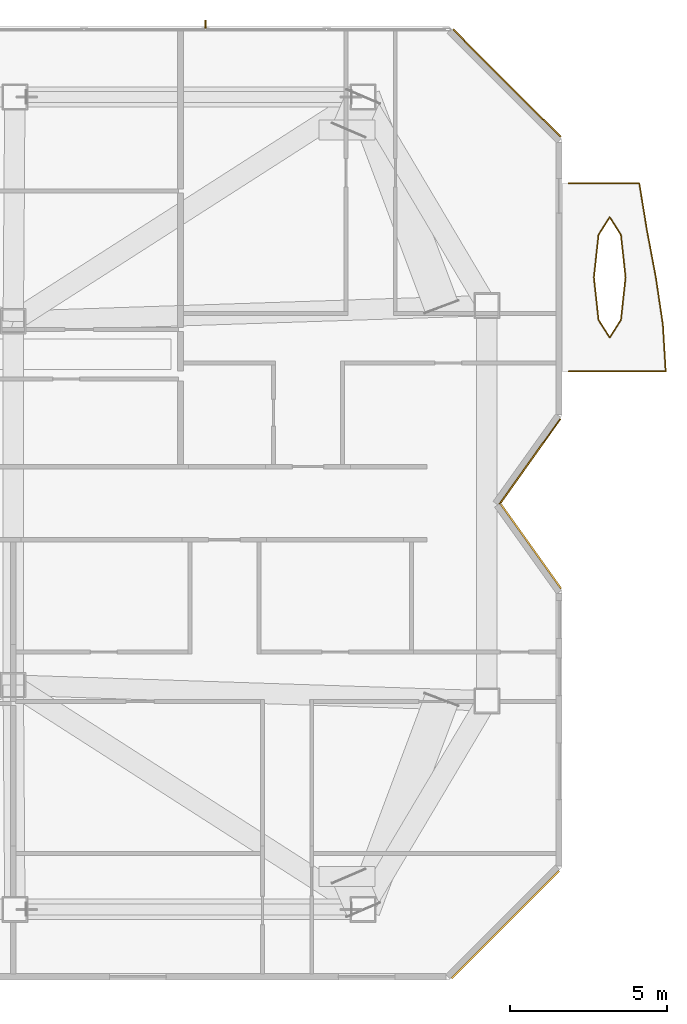
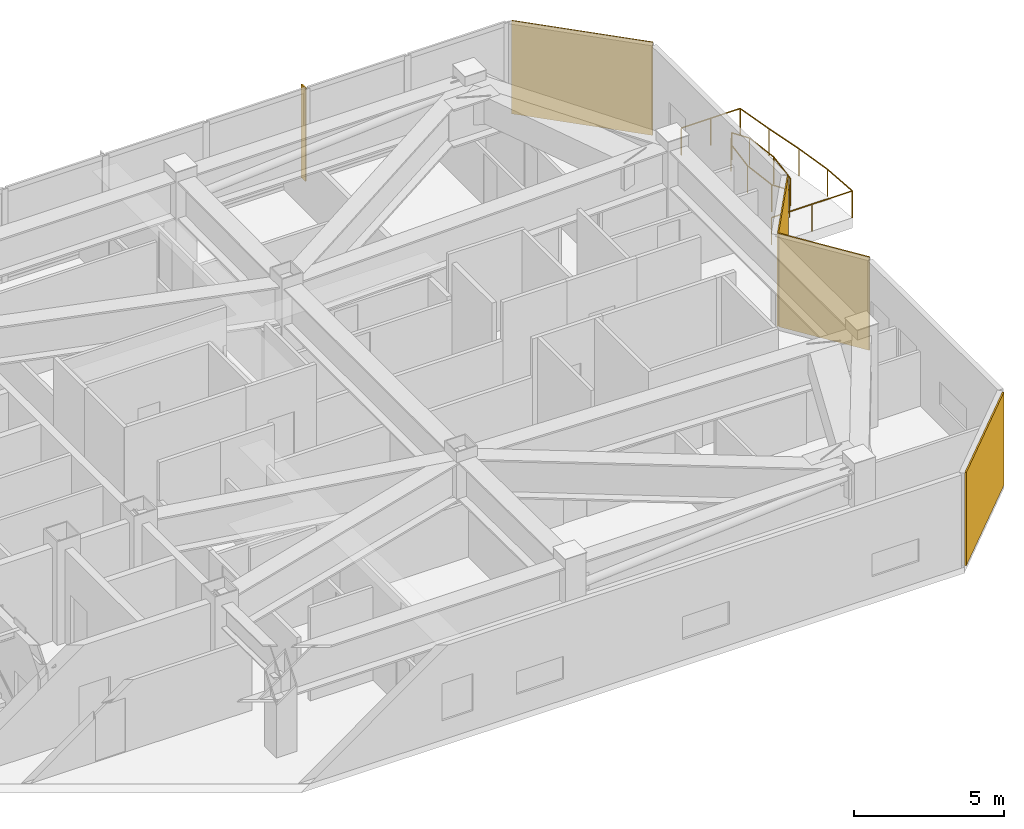
# One storey, part 16 of 16: 4 coverings, 4 railings, 1 shading device.
"""IFC4 building model written with IfcOpenShell, lengths in metres."""

from ifc_helpers import new_model, si_unit, direction, frame, origin, origin_2d, place, context, subcontext, project, spatial, rectangle, circle, extrude, material, layer, layer_set, type_object, element, save


model = new_model("IFC4")

# Units and contexts
model_context = context("Model", 3, precision=1e-05, world=origin(), true_north=direction((0.0, 1.0)))
body_context = subcontext(model_context, "Body", "Model", "MODEL_VIEW")
ifc_project = project(units=[si_unit("LENGTHUNIT", "METRE"), si_unit("AREAUNIT", "SQUARE_METRE"), si_unit("VOLUMEUNIT", "CUBIC_METRE"), si_unit("PLANEANGLEUNIT", "RADIAN"), si_unit("MASSUNIT", "GRAM", prefix="KILO")], contexts=[model_context])

# Site, building, storey
site_placement = place(None, origin())
site = spatial("IfcSite", under=ifc_project, at=site_placement, CompositionType="ELEMENT")
building_placement = place(site_placement, origin())
building = spatial("IfcBuilding", under=site, at=building_placement, Name="Khamvora Tower", CompositionType="ELEMENT")
storey_placement = place(building_placement, frame((0.0, 0.0, 273.64990234375)))
storey = spatial("IfcBuildingStorey", under=building, at=storey_placement, Name="L70", CompositionType="ELEMENT", Elevation=273.64990234375)

# Coverings
ifc_material_1 = material(Name="Pale Anodised Aluminium Rainscreen Panel", Category="aluminium")
ifc_layer_1 = layer(ifc_material_1, 0.044921875)
ifc_layer_set_1 = layer_set([ifc_layer_1], Name="Pale Anodised Aluminium Rainscreen Panel")
covering_type_1 = type_object("IfcCoveringType", Name="COV-CLD-ALU", PredefinedType="CLADDING", material=ifc_layer_set_1)
covering_1_placement = place(storey_placement, frame((66.23388671875, 41.39111328125, 0.0), z_axis=(0.0, 0.0, 1.0), x_axis=(0.707106781187, -0.707106781187, 0.0)))
element("IfcCovering", 1, at=covering_1_placement, inside=storey, type_object=covering_type_1, Name="L70 chamfer rainscreen cladding 08.1", PredefinedType="CLADDING", context=body_context, shape_type="SweptSolid", body=[
    extrude(rectangle(XDim=4.846923828125, YDim=0.044921875, at=origin_2d()), origin(), (0.0, 0.0, 1.0), 3.780029296875),
])
covering_2_placement = place(storey_placement, frame((66.970947265625, 29.327880859375, 0.0), z_axis=(0.0, 0.0, 1.0), x_axis=(-0.581238193719, -0.813733471206, 0.0)))
element("IfcCovering", 2, at=covering_2_placement, inside=storey, type_object=covering_type_1, Name="L70 chamfer rainscreen cladding 10.1", PredefinedType="CLADDING", context=body_context, shape_type="SweptSolid", body=[
    extrude(rectangle(XDim=3.33203125, YDim=0.044921875, at=origin_2d()), origin(), (0.0, 0.0, 1.0), 3.780029296875),
])
ifc_material_2 = material(Name="Anodised Bronze Aluminium Spandrel Panel", Category="aluminium")
ifc_layer_2 = layer(ifc_material_2, 0.054931640625)
ifc_layer_set_2 = layer_set([ifc_layer_2], Name="Anodised Bronze Aluminium Spandrel Panel")
covering_type_2 = type_object("IfcCoveringType", Name="COV-CLD-BRZ", PredefinedType="CLADDING", material=ifc_layer_set_2)
covering_3_placement = place(storey_placement, frame((67.009033203125, 26.617919921875, 0.0), z_axis=(0.0, 0.0, 1.0), x_axis=(0.581321761926, -0.81367377315, 0.0)))
element("IfcCovering", 3, at=covering_3_placement, inside=storey, type_object=covering_type_2, Name="L70 chamfer rainscreen cladding 11.1", PredefinedType="CLADDING", context=body_context, shape_type="SweptSolid", body=[
    extrude(rectangle(XDim=3.2958984375, YDim=0.054931640625, at=origin_2d()), origin(), (0.0, 0.0, 1.0), 3.780029296875),
])
covering_4_placement = place(storey_placement, frame((66.18994140625, 14.56494140625, 0.0), z_axis=(0.0, 0.0, 1.0), x_axis=(-0.707106781187, -0.707106781187, 0.0)))
element("IfcCovering", 4, at=covering_4_placement, inside=storey, type_object=covering_type_2, Name="L70 chamfer rainscreen cladding 13.1", PredefinedType="CLADDING", context=body_context, shape_type="SweptSolid", body=[
    extrude(rectangle(XDim=4.843994140625, YDim=0.054931640625, at=origin_2d()), origin(), (0.0, 0.0, 1.0), 3.780029296875),
])

# Railings
ifc_material_3 = material(Name="Stainless Steel 316 and Laminated Glass", Category="steel")
railing_type = type_object("IfcRailingType", Name="RAL-GAL-1120", PredefinedType="GUARDRAIL", material=ifc_material_3)
railing_1_placement = place(storey_placement, frame((68.199951171875, 32.199951171875, 0.0)))
element("IfcRailing", 5, at=railing_1_placement, inside=storey, type_object=railing_type, Name="L70 lens gallery south perimeter guardrail EL2", PredefinedType="GUARDRAIL", context=body_context, shape_type="SweptSolid", body=[
    extrude(circle(Radius=0.02392578125, at=origin_2d()), frame((0.0, 0.0, 1.09619140625), z_axis=(1.0, 0.0, 0.0), x_axis=(0.0, 1.0, 0.0)), (0.0, 0.0, 1.0), 3.10009765625),
    extrude(circle(Radius=0.02392578125, at=origin_2d()), frame((3.10009765625, 0.0, 1.09619140625), z_axis=(-0.059950569183, 0.998201347051, 0.0), x_axis=(-0.998201347051, -0.059950569183, 0.0)), (0.0, 0.0, 1.0), 1.502685546875),
    extrude(circle(Radius=0.02392578125, at=origin_2d()), frame((3.010009765625, 1.5, 1.09619140625), z_axis=(-0.147616211962, 0.98904471788, 0.0), x_axis=(-0.98904471788, -0.147616211962, 0.0)), (0.0, 0.0, 1.0), 1.5166015625),
    extrude(circle(Radius=0.02099609375, at=origin_2d()), origin(), (0.0, 0.0, 1.0), 1.072021484375),
    extrude(circle(Radius=0.02099609375, at=origin_2d()), frame((1.550048828125, 0.0, 0.0)), (0.0, 0.0, 1.0), 1.072021484375),
    extrude(circle(Radius=0.02099609375, at=origin_2d()), frame((3.10009765625, 0.0, 0.0)), (0.0, 0.0, 1.0), 1.072021484375),
    extrude(circle(Radius=0.02099609375, at=origin_2d()), frame((3.010009765625, 1.5, 0.0)), (0.0, 0.0, 1.0), 1.072021484375),
    extrude(circle(Radius=0.02099609375, at=origin_2d()), frame((2.7861328125, 3.0, 0.0)), (0.0, 0.0, 1.0), 1.072021484375),
])
railing_2_placement = place(storey_placement, frame((70.986083984375, 35.199951171875, 0.0)))
element("IfcRailing", 6, at=railing_2_placement, inside=storey, type_object=railing_type, Name="L70 lens gallery north perimeter guardrail EL2", PredefinedType="GUARDRAIL", context=body_context, shape_type="SweptSolid", body=[
    extrude(circle(Radius=0.02392578125, at=origin_2d()), frame((0.0, 0.0, 1.09619140625), z_axis=(-0.18552441405, 0.982639655108, 0.0), x_axis=(-0.982639655108, -0.18552441405, 0.0)), (0.0, 0.0, 1.0), 1.526611328125),
    extrude(circle(Radius=0.02392578125, at=origin_2d()), frame((-0.283203125, 1.5, 1.09619140625), z_axis=(-0.161115933227, 0.986935487284, 0.0), x_axis=(-0.986935487284, -0.161115933227, 0.0)), (0.0, 0.0, 1.0), 1.519775390625),
    extrude(circle(Radius=0.02392578125, at=origin_2d()), frame((-0.528076171875, 3.0, 1.09619140625), z_axis=(-1.0, 0.0, 0.0), x_axis=(0.0, -1.0, 0.0)), (0.0, 0.0, 1.0), 2.258056640625),
    extrude(circle(Radius=0.02099609375, at=origin_2d()), origin(), (0.0, 0.0, 1.0), 1.072021484375),
    extrude(circle(Radius=0.02099609375, at=origin_2d()), frame((-0.283203125, 1.5, 0.0)), (0.0, 0.0, 1.0), 1.072021484375),
    extrude(circle(Radius=0.02099609375, at=origin_2d()), frame((-0.528076171875, 3.0, 0.0)), (0.0, 0.0, 1.0), 1.072021484375),
    extrude(circle(Radius=0.02099609375, at=origin_2d()), frame((-1.6572265625, 3.0, 0.0)), (0.0, 0.0, 1.0), 1.072021484375),
    extrude(circle(Radius=0.02099609375, at=origin_2d()), frame((-2.7861328125, 3.0, 0.0)), (0.0, 0.0, 1.0), 1.072021484375),
])
railing_3_placement = place(storey_placement, frame((70.01904296875, 35.199951171875, 0.0)))
element("IfcRailing", 7, at=railing_3_placement, inside=storey, type_object=railing_type, Name="L70 lens gallery void guardrail EL2A", PredefinedType="GUARDRAIL", context=body_context, shape_type="SweptSolid", body=[
    extrude(circle(Radius=0.02392578125, at=origin_2d()), frame((0.0, 0.0, 1.09619140625), z_axis=(-0.108293385003, 0.994118978173, 0.0), x_axis=(-0.994118978173, -0.108293385003, 0.0)), (0.0, 0.0, 1.0), 1.3662109375),
    extrude(circle(Radius=0.02392578125, at=origin_2d()), frame((-0.14794921875, 1.358154296875, 1.09619140625), z_axis=(-0.535331385783, 0.844642117939, 0.0), x_axis=(-0.844642117939, -0.535331385783, 0.0)), (0.0, 0.0, 1.0), 0.665283203125),
    extrude(circle(Radius=0.02392578125, at=origin_2d()), frame((-0.504150390625, 1.920166015625, 1.09619140625), z_axis=(-0.535069542864, -0.844808016237, 0.0), x_axis=(0.844808016237, -0.535069542864, 0.0)), (0.0, 0.0, 1.0), 0.665283203125),
    extrude(circle(Radius=0.02392578125, at=origin_2d()), frame((-0.860107421875, 1.358154296875, 1.09619140625), z_axis=(-0.108293385003, -0.994118978173, 0.0), x_axis=(0.994118978173, -0.108293385003, 0.0)), (0.0, 0.0, 1.0), 1.3662109375),
    extrude(circle(Radius=0.02099609375, at=origin_2d()), origin(), (0.0, 0.0, 1.0), 1.072021484375),
    extrude(circle(Radius=0.02099609375, at=origin_2d()), frame((-0.14794921875, 1.358154296875, 0.0)), (0.0, 0.0, 1.0), 1.072021484375),
    extrude(circle(Radius=0.02099609375, at=origin_2d()), frame((-0.504150390625, 1.920166015625, 0.0)), (0.0, 0.0, 1.0), 1.072021484375),
    extrude(circle(Radius=0.02099609375, at=origin_2d()), frame((-0.860107421875, 1.358154296875, 0.0)), (0.0, 0.0, 1.0), 1.072021484375),
    extrude(circle(Radius=0.02099609375, at=origin_2d()), frame((-1.008056640625, 0.0, 0.0)), (0.0, 0.0, 1.0), 1.072021484375),
])
railing_4_placement = place(storey_placement, frame((69.010986328125, 35.199951171875, 0.0)))
element("IfcRailing", 8, at=railing_4_placement, inside=storey, type_object=railing_type, Name="L70 lens gallery void guardrail EL2B", PredefinedType="GUARDRAIL", context=body_context, shape_type="SweptSolid", body=[
    extrude(circle(Radius=0.02392578125, at=origin_2d()), frame((0.0, 0.0, 1.09619140625), z_axis=(0.10831262683, -0.994116881895, 0.0), x_axis=(0.994116881895, 0.10831262683, 0.0)), (0.0, 0.0, 1.0), 1.365966796875),
    extrude(circle(Radius=0.02392578125, at=origin_2d()), frame((0.14794921875, -1.35791015625, 1.09619140625), z_axis=(0.535069542864, -0.844808016237, 0.0), x_axis=(0.844808016237, 0.535069542864, 0.0)), (0.0, 0.0, 1.0), 0.665283203125),
    extrude(circle(Radius=0.02392578125, at=origin_2d()), frame((0.50390625, -1.919921875, 1.09619140625), z_axis=(0.535331385783, 0.844642117939, 0.0), x_axis=(-0.844642117939, 0.535331385783, 0.0)), (0.0, 0.0, 1.0), 0.665283203125),
    extrude(circle(Radius=0.02392578125, at=origin_2d()), frame((0.860107421875, -1.35791015625, 1.09619140625), z_axis=(0.10831262683, 0.994116881895, 0.0), x_axis=(-0.994116881895, 0.10831262683, 0.0)), (0.0, 0.0, 1.0), 1.365966796875),
    extrude(circle(Radius=0.02099609375, at=origin_2d()), origin(), (0.0, 0.0, 1.0), 1.072021484375),
    extrude(circle(Radius=0.02099609375, at=origin_2d()), frame((0.14794921875, -1.35791015625, 0.0)), (0.0, 0.0, 1.0), 1.072021484375),
    extrude(circle(Radius=0.02099609375, at=origin_2d()), frame((0.50390625, -1.919921875, 0.0)), (0.0, 0.0, 1.0), 1.072021484375),
    extrude(circle(Radius=0.02099609375, at=origin_2d()), frame((0.860107421875, -1.35791015625, 0.0)), (0.0, 0.0, 1.0), 1.072021484375),
    extrude(circle(Radius=0.02099609375, at=origin_2d()), frame((1.008056640625, 0.0, 0.0)), (0.0, 0.0, 1.0), 1.072021484375),
])

# Shading device
ifc_material_4 = material(Name="Pale Anodised Aluminium 6063-T6", Category="aluminium")
shading_device_type = type_object("IfcShadingDeviceType", Name="SHD-FIN-280", PredefinedType="USERDEFINED", material=ifc_material_4)
shading_device_placement = place(storey_placement, frame((56.6279296875, 43.264892578125, 0.0), z_axis=(0.0, 0.0, 1.0), x_axis=(1.0, 0.0, 0.0)))
element("IfcShadingDevice", 9, at=shading_device_placement, inside=storey, type_object=shading_device_type, Name="L70 anodised bronze solar fin 07.04", ObjectType="FIN", PredefinedType="USERDEFINED", context=body_context, shape_type="SweptSolid", body=[
    extrude(rectangle(XDim=0.050048828125, YDim=0.280029296875, at=origin_2d()), origin(), (0.0, 0.0, 1.0), 3.780029296875),
])

save(model, "model.ifc")
